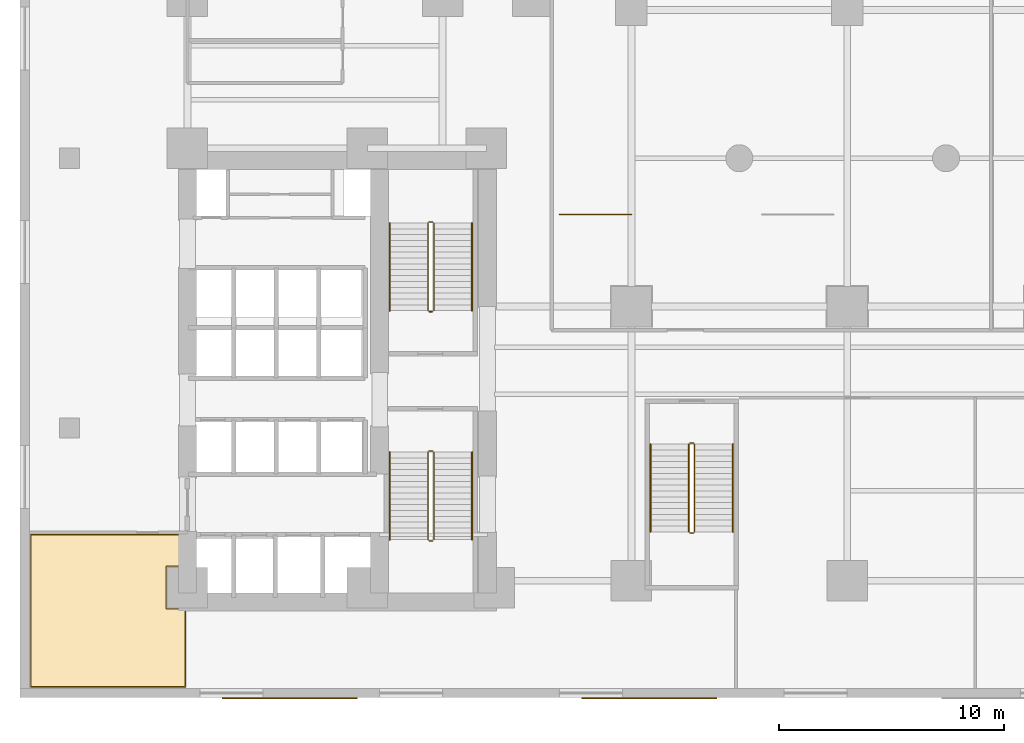
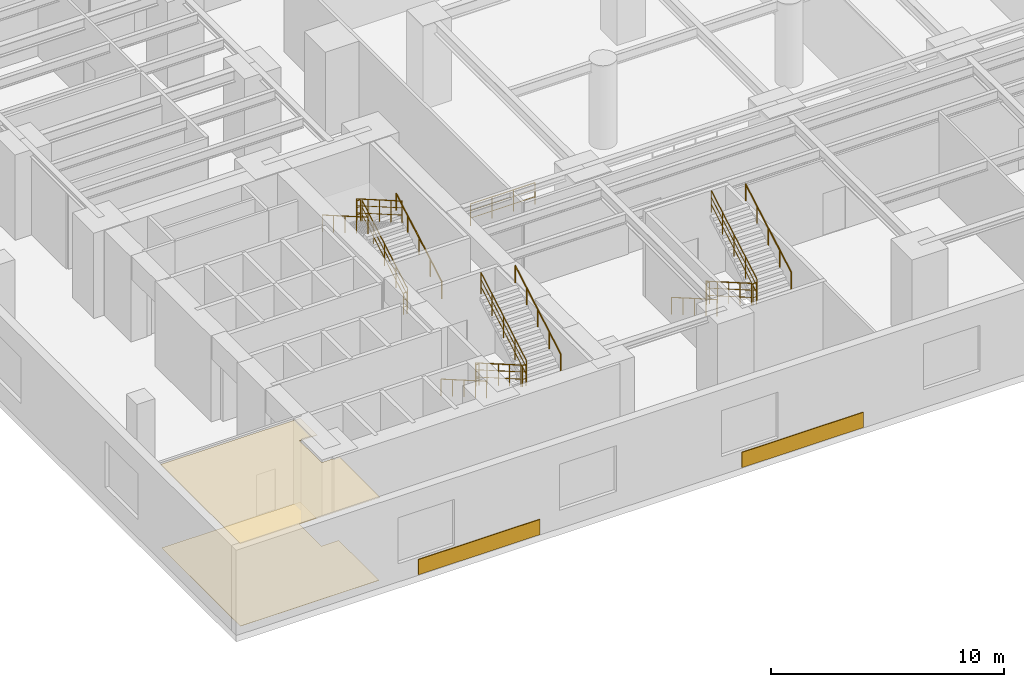
# One storey, part 15 of 16: 19 railings, 4 coverings.
"""IFC4 building model written with IfcOpenShell, lengths in metres."""

import ifcopenshell
import ifcopenshell.guid

model = None  # the IFC model being written
_history = None  # IfcOwnerHistory: only IFC2X3 demands one
_inside = {}  # id of a spatial element -> (the spatial element, [elements in it])
_under = {}  # id of a project, library or spatial element -> (it, [spatial elements below it])
_declared = {}  # id of a project -> (the project, [libraries it declares])
_typed = {}  # id of a type object -> (the type object, [elements of that type])
_made_of = {}  # id of a material, layer set ... -> (it, [elements and type objects made of it])


def new_model(schema):
    """Start an empty IFC model of exactly this schema.

    Asked for "IFC4X3", IfcOpenShell would pick the latest addendum, in which some entities
    have other attributes; the version numbers below select the first issue.
    IFC2X3 requires an IfcOwnerHistory on every rooted entity: one is made here for all.
    """
    global model, _history
    if schema == "IFC4X3":
        model = ifcopenshell.file(schema_version=(4, 3, 0, 0))
    else:
        model = ifcopenshell.file(schema=schema)
    _inside.clear()
    _under.clear()
    _declared.clear()
    _typed.clear()
    _made_of.clear()
    _history = None
    if model.schema == "IFC2X3":
        org = make("IfcOrganization", Name="unknown")
        user = make(
            "IfcPersonAndOrganization",
            ThePerson=make("IfcPerson", FamilyName="unknown"),
            TheOrganization=org,
        )
        app = make(
            "IfcApplication",
            ApplicationDeveloper=org,
            Version="unknown",
            ApplicationFullName="unknown",
            ApplicationIdentifier="unknown",
        )
        _history = make(
            "IfcOwnerHistory",
            OwningUser=user,
            OwningApplication=app,
            ChangeAction="ADDED",
            CreationDate=0,
        )
    return model


def make(cls, **values):
    """One entity of the class cls with the attributes given. An attribute that is None is left unset."""
    return model.create_entity(
        cls, **{name: value for name, value in values.items() if value is not None}
    )


def rooted(cls, **values):
    """An entity with a GlobalId (a new one), such as an element, a storey or a relation."""
    return make(cls, GlobalId=ifcopenshell.guid.new(), OwnerHistory=_history, **values)


def si_unit(unit_type, name, prefix=None):
    """IfcSIUnit, for example si_unit("LENGTHUNIT", "METRE", prefix="MILLI")."""
    return make("IfcSIUnit", UnitType=unit_type, Prefix=prefix, Name=name)


def assignment(units):
    """IfcUnitAssignment: the units of a project."""
    return None if units is None else make("IfcUnitAssignment", Units=units)


def point(xyz):
    """IfcCartesianPoint."""
    return None if xyz is None else make("IfcCartesianPoint", Coordinates=xyz)


def direction(xyz):
    """IfcDirection."""
    return None if xyz is None else make("IfcDirection", DirectionRatios=xyz)


def frame(location, z_axis=None, x_axis=None):
    """IfcAxis2Placement3D, a coordinate frame: its origin and axes. An axis left out is left unset."""
    return make(
        "IfcAxis2Placement3D",
        Location=point(location),
        Axis=direction(z_axis),
        RefDirection=direction(x_axis),
    )


def frame_2d(location, x_axis=None):
    """IfcAxis2Placement2D, a coordinate frame in the plane: its origin and x axis."""
    return make(
        "IfcAxis2Placement2D", Location=point(location), RefDirection=direction(x_axis)
    )


def origin():
    """The frame at (0, 0, 0) with its axes left unset."""
    return frame((0.0, 0.0, 0.0))


def origin_2d():
    """The frame at (0, 0) in the plane with its x axis left unset."""
    return frame_2d((0.0, 0.0))


def place(relative_to, where):
    """IfcLocalPlacement: puts the frame where relative to a parent placement (None: the world)."""
    return make(
        "IfcLocalPlacement", PlacementRelTo=relative_to, RelativePlacement=where
    )


def context(
    kind, dimensions, precision=None, world=None, true_north=None, identifier=None
):
    """IfcGeometricRepresentationContext, for example the 3D "Model" context."""
    return make(
        "IfcGeometricRepresentationContext",
        ContextIdentifier=identifier,
        ContextType=kind,
        CoordinateSpaceDimension=dimensions,
        Precision=precision,
        WorldCoordinateSystem=world,
        TrueNorth=true_north,
    )


def subcontext(parent, identifier, kind, view, scale=None):
    """IfcGeometricRepresentationSubContext, for example "Body" below "Model"."""
    return make(
        "IfcGeometricRepresentationSubContext",
        ContextIdentifier=identifier,
        ContextType=kind,
        ParentContext=parent,
        TargetScale=scale,
        TargetView=view,
    )


def project(units=None, contexts=None):
    """IfcProject with its units and contexts."""
    return rooted(
        "IfcProject",
        Name="project",
        RepresentationContexts=contexts,
        UnitsInContext=assignment(units),
    )


def spatial(cls, under=None, at=None, **own):
    """A site, building, storey or space (cls), placed at a placement, below another one or the project."""
    s = rooted(cls, ObjectPlacement=at, **own)
    if under is not None:
        _under.setdefault(under.id(), (under, []))[1].append(s)
    return s


def polyline(points):
    """IfcPolyline through the points."""
    return make("IfcPolyline", Points=[point(p) for p in points])


def profile(cls, at=None, kind="AREA", **sizes):
    """A parametric profile (cls). Its sizes go by their IFC names, for example OverallWidth=200.0."""
    return make(cls, ProfileType=kind, Position=at, **sizes)


def rectangle(**sizes):
    """IfcRectangleProfileDef."""
    return profile("IfcRectangleProfileDef", **sizes)


def circle(**sizes):
    """IfcCircleProfileDef."""
    return profile("IfcCircleProfileDef", **sizes)


def outline(outer, holes=None, kind="AREA"):
    """IfcArbitraryClosedProfileDef: a profile drawn as a closed curve; with holes, ...WithVoids."""
    if holes is None:
        return make("IfcArbitraryClosedProfileDef", ProfileType=kind, OuterCurve=outer)
    return make(
        "IfcArbitraryProfileDefWithVoids",
        ProfileType=kind,
        OuterCurve=outer,
        InnerCurves=holes,
    )


def extrude(swept, where, along, depth):
    """IfcExtrudedAreaSolid: the profile swept, set in the frame where, extruded along a direction by depth."""
    return make(
        "IfcExtrudedAreaSolid",
        SweptArea=swept,
        Position=where,
        ExtrudedDirection=direction(along),
        Depth=depth,
    )


def shape(context_of_items, identifier, shape_type, items):
    """IfcShapeRepresentation: the items that make up one representation, for example the "Body"."""
    return make(
        "IfcShapeRepresentation",
        ContextOfItems=context_of_items,
        RepresentationIdentifier=identifier,
        RepresentationType=shape_type,
        Items=items,
    )


def material(Name=None, Category=None):
    """IfcMaterial."""
    return make("IfcMaterial", Name=Name, Category=Category)


def layer(
    of_material, thickness, ventilated=None, Name=None, Category=None, Priority=None
):
    """IfcMaterialLayer: one layer of a wall or slab, of a material (None: an air gap)."""
    return make(
        "IfcMaterialLayer",
        Material=of_material,
        LayerThickness=thickness,
        IsVentilated=ventilated,
        Name=Name,
        Category=Category,
        Priority=Priority,
    )


def layer_set(layers, Name=None):
    """IfcMaterialLayerSet."""
    return make("IfcMaterialLayerSet", MaterialLayers=layers, LayerSetName=Name)


def made_of(thing, what):
    """Note that an element or type object is made of a material, layer set ...; save() writes the relation."""
    if what is not None:
        _made_of.setdefault(what.id(), (what, []))[1].append(thing)
    return thing


def type_object(cls, material=None, **own):
    """A type object (cls), such as IfcWallType, which elements share."""
    return made_of(rooted(cls, **own), material)


def element(
    cls,
    number,
    at=None,
    inside=None,
    cuts=None,
    type_object=None,
    material=None,
    context=None,
    identifier="Body",
    shape_type=None,
    held_by="IfcProductDefinitionShape",
    body=None,
    shapes=None,
    **own,
):
    """One element of the class cls, such as IfcWall. Its Tag is "e" and its number.

    at: its placement. inside: the storey or other place that contains it. cuts: it is an
    opening in that element (IfcRelVoidsElement). A single representation is given by context,
    identifier, shape_type and body (its items); several are given by shapes. held_by: the class
    of the entity that holds the representations. save() writes the other relations.
    """
    e = rooted(cls, Tag="e%d" % number, ObjectPlacement=at, **own)
    if body is not None:
        shapes = [shape(context, identifier, shape_type, body)]
    if shapes is not None:
        e.Representation = make(held_by, Representations=shapes)
    if inside is not None:
        _inside.setdefault(inside.id(), (inside, []))[1].append(e)
    if cuts is not None:
        rooted(
            "IfcRelVoidsElement", RelatingBuildingElement=cuts, RelatedOpeningElement=e
        )
    if type_object is not None:
        _typed.setdefault(type_object.id(), (type_object, []))[1].append(e)
    return made_of(e, material)


def aggregate(whole, parts):
    """IfcRelAggregates: a whole, such as a stair, and the parts it consists of."""
    return rooted("IfcRelAggregates", RelatingObject=whole, RelatedObjects=parts)


def save(model, path):
    """Write the relations noted so far, then the file.

    IfcRelAggregates (storeys below a building ...), IfcRelContainedInSpatialStructure (elements
    in a storey), IfcRelDefinesByType, IfcRelAssociatesMaterial and IfcRelDeclares: one each for
    every whole, place, type object, material and project.
    """
    for whole, parts in _under.values():
        aggregate(whole, parts)
    for where, things in _inside.values():
        rooted(
            "IfcRelContainedInSpatialStructure",
            RelatedElements=things,
            RelatingStructure=where,
        )
    for kind, things in _typed.values():
        rooted("IfcRelDefinesByType", RelatedObjects=things, RelatingType=kind)
    for what, things in _made_of.values():
        rooted("IfcRelAssociatesMaterial", RelatedObjects=things, RelatingMaterial=what)
    for by, libraries in _declared.values():
        rooted("IfcRelDeclares", RelatingContext=by, RelatedDefinitions=libraries)
    model.write(path)


model = new_model("IFC4")

# Units and contexts
model_context = context("Model", 3, precision=1e-05, world=origin(), true_north=direction((0.0, 1.0)))
body_context = subcontext(model_context, "Body", "Model", "MODEL_VIEW")
ifc_project = project(units=[si_unit("LENGTHUNIT", "METRE"), si_unit("AREAUNIT", "SQUARE_METRE"), si_unit("VOLUMEUNIT", "CUBIC_METRE"), si_unit("PLANEANGLEUNIT", "RADIAN"), si_unit("MASSUNIT", "GRAM", prefix="KILO")], contexts=[model_context])

# Site, building, storey
site_placement = place(None, origin())
site = spatial("IfcSite", under=ifc_project, at=site_placement, CompositionType="ELEMENT")
building_placement = place(site_placement, origin())
building = spatial("IfcBuilding", under=site, at=building_placement, Name="Kolvaren Waterfront Exchange", CompositionType="ELEMENT")
storey_placement = place(building_placement, frame((0.0, 0.0, 20.0)))
storey = spatial("IfcBuildingStorey", under=building, at=storey_placement, Name="L05", CompositionType="ELEMENT", Elevation=20.0)

# Railing
ifc_material_1 = material(Name="Anodised bronze aluminium and laminated glass", Category="aluminium")
railing_type_1 = type_object("IfcRailingType", Name="ARC-BALUSTRADE-1150", PredefinedType="BALUSTRADE", material=ifc_material_1)
railing_1_placement = place(storey_placement, frame((24.0, 21.5, 0.0)))
element("IfcRailing", 1, at=railing_1_placement, inside=storey, type_object=railing_type_1, Name="L05 gallery balustrade 1", PredefinedType="BALUSTRADE", context=body_context, shape_type="SweptSolid", body=[
    extrude(circle(Radius=0.02392578125, at=origin_2d()), frame((0.0, 0.0, 1.1259765625), z_axis=(1.0, 0.0, 0.0), x_axis=(0.0, 1.0, 0.0)), (0.0, 0.0, 1.0), 3.199951171875),
    extrude(circle(Radius=0.01611328125, at=origin_2d()), frame((0.0, 0.0, 0.390869140625), z_axis=(1.0, 0.0, 0.0), x_axis=(0.0, 1.0, 0.0)), (0.0, 0.0, 1.0), 3.199951171875),
    extrude(circle(Radius=0.01611328125, at=origin_2d()), frame((0.0, 0.0, 0.7705078125), z_axis=(1.0, 0.0, 0.0), x_axis=(0.0, 1.0, 0.0)), (0.0, 0.0, 1.0), 3.199951171875),
    extrude(circle(Radius=0.02099609375, at=origin_2d()), origin(), (0.0, 0.0, 1.0), 1.101806640625),
    extrude(circle(Radius=0.02099609375, at=origin_2d()), frame((1.066650390625, 0.0, 0.0)), (0.0, 0.0, 1.0), 1.101806640625),
    extrude(circle(Radius=0.02099609375, at=origin_2d()), frame((2.13330078125, 0.0, 0.0)), (0.0, 0.0, 1.0), 1.101806640625),
    extrude(circle(Radius=0.02099609375, at=origin_2d()), frame((3.199951171875, 0.0, 0.0)), (0.0, 0.0, 1.0), 1.101806640625),
])

# Coverings
ifc_material_2 = material(Name="Mineral fibre acoustic ceiling tile")
ifc_layer_1 = layer(ifc_material_2, 0.02490234375, Name="Mineral fibre acoustic ceiling tile")
ifc_layer_set_1 = layer_set([ifc_layer_1], Name="Mineral fibre acoustic ceiling tile")
covering_type_1 = type_object("IfcCoveringType", Name="ARC-CEIL-ACOUSTIC-25", PredefinedType="CEILING", material=ifc_layer_set_1)
covering_1_placement = place(storey_placement, frame((0.0, 0.0, 4.344970703125)))
element("IfcCovering", 2, at=covering_1_placement, inside=storey, type_object=covering_type_1, Name="L05 acoustic suspended ceiling 1", PredefinedType="CEILING", context=body_context, shape_type="SweptSolid", body=[
    extrude(outline(polyline([(7.385009765625, 3.9599609375), (6.510009765625, 3.9599609375), (6.510009765625, 5.840087890625), (7.385009765625, 5.840087890625), (7.385009765625, 7.284912109375), (0.465087890625, 7.284912109375), (0.465087890625, 0.465087890625), (7.385009765625, 0.465087890625), (7.385009765625, 3.9599609375)])), origin(), (0.0, 0.0, 1.0), 0.025146484375),
])
ifc_material_3 = material(Name="Honed grey-taupe granite stone", Category="masonry")
ifc_layer_2 = layer(ifc_material_3, 0.044921875, Name="Honed grey-taupe granite stone")
ifc_layer_set_2 = layer_set([ifc_layer_2], Name="Honed grey-taupe granite stone")
covering_type_2 = type_object("IfcCoveringType", Name="ARC-CLAD-GRANITE-45", PredefinedType="CLADDING", material=ifc_layer_set_2)
for number, where, z_axis, x_axis, name in (
    (3, (12.0, -0.02001953125, 0.0498046875), (0.0, 0.0, 1.0), (1.0, 0.0, 0.0), "L05 honed grey-taupe granite spandrel cladding S1"),
    (4, (28.0, -0.02001953125, 0.0498046875), (0.0, 0.0, 1.0), (1.0, 0.0, 0.0), "L05 honed grey-taupe granite spandrel cladding S2"),
):
    element("IfcCovering", number, at=place(storey_placement, frame(where, z_axis=z_axis, x_axis=x_axis)), inside=storey, type_object=covering_type_2, Name=name, PredefinedType="CLADDING", context=body_context, shape_type="SweptSolid", body=[
        extrude(rectangle(XDim=6.0, YDim=0.044921875, at=origin_2d()), origin(), (0.0, 0.0, 1.0), 0.800048828125),
    ])
ifc_material_4 = material(Name="Slip-resistant porcelain tile")
ifc_layer_3 = layer(ifc_material_4, 0.014892578125, Name="Slip-resistant porcelain tile")
ifc_layer_set_3 = layer_set([ifc_layer_3], Name="Slip-resistant porcelain tile")
covering_type_3 = type_object("IfcCoveringType", Name="ARC-FLR-PORC-15", PredefinedType="FLOORING", material=ifc_layer_set_3)
covering_2_placement = place(storey_placement, origin())
element("IfcCovering", 5, at=covering_2_placement, inside=storey, type_object=covering_type_3, Name="L05 floor finish 1", PredefinedType="FLOORING", context=body_context, shape_type="SweptSolid", body=[
    extrude(outline(polyline([(0.5, 7.25), (0.5, 0.5), (7.35009765625, 0.5), (7.35009765625, 3.93994140625), (6.489990234375, 3.93994140625), (6.489990234375, 5.860107421875), (7.35009765625, 5.860107421875), (7.35009765625, 7.25), (0.5, 7.25)])), origin(), (0.0, 0.0, 1.0), 0.014892578125),
])

# Railings
ifc_material_5 = material(Name="Stainless steel 316", Category="steel")
railing_type_2 = type_object("IfcRailingType", Name="ARC-GUARD-STAIR", PredefinedType="GUARDRAIL", material=ifc_material_5)
railing_2_placement = place(storey_placement, frame((18.14990234375, 10.929931640625, 0.14990234375)))
element("IfcRailing", 6, at=railing_2_placement, inside=storey, type_object=railing_type_2, Name="L05 ST1 stair guard 1", PredefinedType="GUARDRAIL", context=body_context, shape_type="SweptSolid", body=[
    extrude(circle(Radius=0.02392578125, at=origin_2d()), frame((0.0, 0.0, 1.1259765625), z_axis=(0.0, -0.866180169578, 0.49973184192), x_axis=(1.0, 0.0, 0.0)), (0.0, 0.0, 1.0), 4.50244140625),
    extrude(circle(Radius=0.01611328125, at=origin_2d()), frame((0.0, 0.0, 0.390869140625), z_axis=(0.0, -0.866180169578, 0.49973184192), x_axis=(1.0, 0.0, 0.0)), (0.0, 0.0, 1.0), 4.50244140625),
    extrude(circle(Radius=0.01611328125, at=origin_2d()), frame((0.0, 0.0, 0.7705078125), z_axis=(0.0, -0.866180169578, 0.49973184192), x_axis=(1.0, 0.0, 0.0)), (0.0, 0.0, 1.0), 4.50244140625),
    extrude(circle(Radius=0.02099609375, at=origin_2d()), origin(), (0.0, 0.0, 1.0), 1.101806640625),
    extrude(circle(Radius=0.02099609375, at=origin_2d()), frame((0.0, -0.97509765625, 0.5625)), (0.0, 0.0, 1.0), 1.101806640625),
    extrude(circle(Radius=0.02099609375, at=origin_2d()), frame((0.0, -1.949951171875, 1.125)), (0.0, 0.0, 1.0), 1.101806640625),
    extrude(circle(Radius=0.02099609375, at=origin_2d()), frame((0.0, -2.9248046875, 1.6875)), (0.0, 0.0, 1.0), 1.101806640625),
    extrude(circle(Radius=0.02099609375, at=origin_2d()), frame((0.0, -3.89990234375, 2.25)), (0.0, 0.0, 1.0), 1.101806640625),
])
railing_3_placement = place(storey_placement, frame((18.199951171875, 6.97998046875, 2.39990234375)))
element("IfcRailing", 7, at=railing_3_placement, inside=storey, type_object=railing_type_2, Name="L05 ST1 stair guard 2", PredefinedType="GUARDRAIL", context=body_context, shape_type="SweptSolid", body=[
    extrude(circle(Radius=0.02392578125, at=origin_2d()), frame((0.0, 0.0, 1.1259765625), z_axis=(1.0, 0.0, 0.0), x_axis=(0.0, 1.0, 0.0)), (0.0, 0.0, 1.0), 0.16015625),
    extrude(circle(Radius=0.01611328125, at=origin_2d()), frame((0.0, 0.0, 0.390869140625), z_axis=(1.0, 0.0, 0.0), x_axis=(0.0, 1.0, 0.0)), (0.0, 0.0, 1.0), 0.16015625),
    extrude(circle(Radius=0.01611328125, at=origin_2d()), frame((0.0, 0.0, 0.7705078125), z_axis=(1.0, 0.0, 0.0), x_axis=(0.0, 1.0, 0.0)), (0.0, 0.0, 1.0), 0.16015625),
    extrude(circle(Radius=0.02099609375, at=origin_2d()), origin(), (0.0, 0.0, 1.0), 1.101806640625),
    extrude(circle(Radius=0.02099609375, at=origin_2d()), frame((0.16015625, 0.0, 0.0)), (0.0, 0.0, 1.0), 1.101806640625),
])
railing_4_placement = place(storey_placement, frame((18.409912109375, 7.030029296875, 2.550048828125)))
element("IfcRailing", 8, at=railing_4_placement, inside=storey, type_object=railing_type_2, Name="L05 ST1 stair guard 3", PredefinedType="GUARDRAIL", context=body_context, shape_type="SweptSolid", body=[
    extrude(circle(Radius=0.02392578125, at=origin_2d()), frame((0.0, 0.0, 1.1259765625), z_axis=(0.0, 0.866180169578, 0.49973184192), x_axis=(-1.0, 0.0, 0.0)), (0.0, 0.0, 1.0), 4.50244140625),
    extrude(circle(Radius=0.01611328125, at=origin_2d()), frame((0.0, 0.0, 0.390869140625), z_axis=(0.0, 0.866180169578, 0.49973184192), x_axis=(-1.0, 0.0, 0.0)), (0.0, 0.0, 1.0), 4.50244140625),
    extrude(circle(Radius=0.01611328125, at=origin_2d()), frame((0.0, 0.0, 0.7705078125), z_axis=(0.0, 0.866180169578, 0.49973184192), x_axis=(-1.0, 0.0, 0.0)), (0.0, 0.0, 1.0), 4.50244140625),
    extrude(circle(Radius=0.02099609375, at=origin_2d()), origin(), (0.0, 0.0, 1.0), 1.101806640625),
    extrude(circle(Radius=0.02099609375, at=origin_2d()), frame((0.0, 0.97509765625, 0.5625)), (0.0, 0.0, 1.0), 1.101806640625),
    extrude(circle(Radius=0.02099609375, at=origin_2d()), frame((0.0, 1.949951171875, 1.125)), (0.0, 0.0, 1.0), 1.101806640625),
    extrude(circle(Radius=0.02099609375, at=origin_2d()), frame((0.0, 2.9248046875, 1.6875)), (0.0, 0.0, 1.0), 1.101806640625),
    extrude(circle(Radius=0.02099609375, at=origin_2d()), frame((0.0, 3.89990234375, 2.25)), (0.0, 0.0, 1.0), 1.101806640625),
])
railing_5_placement = place(storey_placement, frame((18.199951171875, 10.97998046875, 0.0)))
element("IfcRailing", 9, at=railing_5_placement, inside=storey, type_object=railing_type_2, Name="L05 ST1 stair guard 4", PredefinedType="GUARDRAIL", context=body_context, shape_type="SweptSolid", body=[
    extrude(circle(Radius=0.02392578125, at=origin_2d()), frame((0.0, 0.0, 1.1259765625), z_axis=(1.0, 0.0, 0.0), x_axis=(0.0, 1.0, 0.0)), (0.0, 0.0, 1.0), 0.16015625),
    extrude(circle(Radius=0.01611328125, at=origin_2d()), frame((0.0, 0.0, 0.390869140625), z_axis=(1.0, 0.0, 0.0), x_axis=(0.0, 1.0, 0.0)), (0.0, 0.0, 1.0), 0.16015625),
    extrude(circle(Radius=0.01611328125, at=origin_2d()), frame((0.0, 0.0, 0.7705078125), z_axis=(1.0, 0.0, 0.0), x_axis=(0.0, 1.0, 0.0)), (0.0, 0.0, 1.0), 0.16015625),
    extrude(circle(Radius=0.02099609375, at=origin_2d()), origin(), (0.0, 0.0, 1.0), 1.101806640625),
    extrude(circle(Radius=0.02099609375, at=origin_2d()), frame((0.16015625, 0.0, 0.0)), (0.0, 0.0, 1.0), 1.101806640625),
])
railing_6_placement = place(storey_placement, frame((18.409912109375, 17.219970703125, 0.14990234375)))
element("IfcRailing", 10, at=railing_6_placement, inside=storey, type_object=railing_type_2, Name="L05 ST2 stair guard 1", PredefinedType="GUARDRAIL", context=body_context, shape_type="SweptSolid", body=[
    extrude(circle(Radius=0.02392578125, at=origin_2d()), frame((0.0, 0.0, 1.1259765625), z_axis=(0.0, 0.866193710181, 0.499708371395), x_axis=(-1.0, 0.0, 0.0)), (0.0, 0.0, 1.0), 4.502685546875),
    extrude(circle(Radius=0.01611328125, at=origin_2d()), frame((0.0, 0.0, 0.390869140625), z_axis=(0.0, 0.866193710181, 0.499708371395), x_axis=(-1.0, 0.0, 0.0)), (0.0, 0.0, 1.0), 4.502685546875),
    extrude(circle(Radius=0.01611328125, at=origin_2d()), frame((0.0, 0.0, 0.7705078125), z_axis=(0.0, 0.866193710181, 0.499708371395), x_axis=(-1.0, 0.0, 0.0)), (0.0, 0.0, 1.0), 4.502685546875),
    extrude(circle(Radius=0.02099609375, at=origin_2d()), origin(), (0.0, 0.0, 1.0), 1.101806640625),
    extrude(circle(Radius=0.02099609375, at=origin_2d()), frame((0.0, 0.97509765625, 0.5625)), (0.0, 0.0, 1.0), 1.101806640625),
    extrude(circle(Radius=0.02099609375, at=origin_2d()), frame((0.0, 1.9501953125, 1.125)), (0.0, 0.0, 1.0), 1.101806640625),
    extrude(circle(Radius=0.02099609375, at=origin_2d()), frame((0.0, 2.925048828125, 1.6875)), (0.0, 0.0, 1.0), 1.101806640625),
    extrude(circle(Radius=0.02099609375, at=origin_2d()), frame((0.0, 3.900146484375, 2.25)), (0.0, 0.0, 1.0), 1.101806640625),
])
railing_7_placement = place(storey_placement, frame((18.360107421875, 21.169921875, 2.39990234375)))
element("IfcRailing", 11, at=railing_7_placement, inside=storey, type_object=railing_type_2, Name="L05 ST2 stair guard 2", PredefinedType="GUARDRAIL", context=body_context, shape_type="SweptSolid", body=[
    extrude(circle(Radius=0.02392578125, at=origin_2d()), frame((0.0, 0.0, 1.1259765625), z_axis=(-1.0, 0.0, 0.0), x_axis=(0.0, -1.0, 0.0)), (0.0, 0.0, 1.0), 0.16015625),
    extrude(circle(Radius=0.01611328125, at=origin_2d()), frame((0.0, 0.0, 0.390869140625), z_axis=(-1.0, 0.0, 0.0), x_axis=(0.0, -1.0, 0.0)), (0.0, 0.0, 1.0), 0.16015625),
    extrude(circle(Radius=0.01611328125, at=origin_2d()), frame((0.0, 0.0, 0.7705078125), z_axis=(-1.0, 0.0, 0.0), x_axis=(0.0, -1.0, 0.0)), (0.0, 0.0, 1.0), 0.16015625),
    extrude(circle(Radius=0.02099609375, at=origin_2d()), origin(), (0.0, 0.0, 1.0), 1.101806640625),
    extrude(circle(Radius=0.02099609375, at=origin_2d()), frame((-0.16015625, 0.0, 0.0)), (0.0, 0.0, 1.0), 1.101806640625),
])
railing_8_placement = place(storey_placement, frame((18.14990234375, 21.1201171875, 2.550048828125)))
element("IfcRailing", 12, at=railing_8_placement, inside=storey, type_object=railing_type_2, Name="L05 ST2 stair guard 3", PredefinedType="GUARDRAIL", context=body_context, shape_type="SweptSolid", body=[
    extrude(circle(Radius=0.02392578125, at=origin_2d()), frame((0.0, 0.0, 1.1259765625), z_axis=(0.0, -0.866193710181, 0.499708371395), x_axis=(1.0, 0.0, 0.0)), (0.0, 0.0, 1.0), 4.502685546875),
    extrude(circle(Radius=0.01611328125, at=origin_2d()), frame((0.0, 0.0, 0.390869140625), z_axis=(0.0, -0.866193710181, 0.499708371395), x_axis=(1.0, 0.0, 0.0)), (0.0, 0.0, 1.0), 4.502685546875),
    extrude(circle(Radius=0.01611328125, at=origin_2d()), frame((0.0, 0.0, 0.7705078125), z_axis=(0.0, -0.866193710181, 0.499708371395), x_axis=(1.0, 0.0, 0.0)), (0.0, 0.0, 1.0), 4.502685546875),
    extrude(circle(Radius=0.02099609375, at=origin_2d()), origin(), (0.0, 0.0, 1.0), 1.101806640625),
    extrude(circle(Radius=0.02099609375, at=origin_2d()), frame((0.0, -0.97509765625, 0.5625)), (0.0, 0.0, 1.0), 1.101806640625),
    extrude(circle(Radius=0.02099609375, at=origin_2d()), frame((0.0, -1.9501953125, 1.125)), (0.0, 0.0, 1.0), 1.101806640625),
    extrude(circle(Radius=0.02099609375, at=origin_2d()), frame((0.0, -2.925048828125, 1.6875)), (0.0, 0.0, 1.0), 1.101806640625),
    extrude(circle(Radius=0.02099609375, at=origin_2d()), frame((0.0, -3.900146484375, 2.25)), (0.0, 0.0, 1.0), 1.101806640625),
])
railing_9_placement = place(storey_placement, frame((18.360107421875, 17.169921875, 0.0)))
element("IfcRailing", 13, at=railing_9_placement, inside=storey, type_object=railing_type_2, Name="L05 ST2 stair guard 4", PredefinedType="GUARDRAIL", context=body_context, shape_type="SweptSolid", body=[
    extrude(circle(Radius=0.02392578125, at=origin_2d()), frame((0.0, 0.0, 1.1259765625), z_axis=(-1.0, 0.0, 0.0), x_axis=(0.0, -1.0, 0.0)), (0.0, 0.0, 1.0), 0.16015625),
    extrude(circle(Radius=0.01611328125, at=origin_2d()), frame((0.0, 0.0, 0.390869140625), z_axis=(-1.0, 0.0, 0.0), x_axis=(0.0, -1.0, 0.0)), (0.0, 0.0, 1.0), 0.16015625),
    extrude(circle(Radius=0.01611328125, at=origin_2d()), frame((0.0, 0.0, 0.7705078125), z_axis=(-1.0, 0.0, 0.0), x_axis=(0.0, -1.0, 0.0)), (0.0, 0.0, 1.0), 0.16015625),
    extrude(circle(Radius=0.02099609375, at=origin_2d()), origin(), (0.0, 0.0, 1.0), 1.101806640625),
    extrude(circle(Radius=0.02099609375, at=origin_2d()), frame((-0.16015625, 0.0, 0.0)), (0.0, 0.0, 1.0), 1.101806640625),
])
railing_10_placement = place(storey_placement, frame((29.75, 11.280029296875, 0.14990234375)))
element("IfcRailing", 14, at=railing_10_placement, inside=storey, type_object=railing_type_2, Name="L05 ST3 stair guard 1", PredefinedType="GUARDRAIL", context=body_context, shape_type="SweptSolid", body=[
    extrude(circle(Radius=0.02392578125, at=origin_2d()), frame((0.0, 0.0, 1.1259765625), z_axis=(0.0, -0.866193710181, 0.499708371395), x_axis=(1.0, 0.0, 0.0)), (0.0, 0.0, 1.0), 4.502685546875),
    extrude(circle(Radius=0.01611328125, at=origin_2d()), frame((0.0, 0.0, 0.390869140625), z_axis=(0.0, -0.866193710181, 0.499708371395), x_axis=(1.0, 0.0, 0.0)), (0.0, 0.0, 1.0), 4.502685546875),
    extrude(circle(Radius=0.01611328125, at=origin_2d()), frame((0.0, 0.0, 0.7705078125), z_axis=(0.0, -0.866193710181, 0.499708371395), x_axis=(1.0, 0.0, 0.0)), (0.0, 0.0, 1.0), 4.502685546875),
    extrude(circle(Radius=0.02099609375, at=origin_2d()), origin(), (0.0, 0.0, 1.0), 1.101806640625),
    extrude(circle(Radius=0.02099609375, at=origin_2d()), frame((0.0, -0.97509765625, 0.5625)), (0.0, 0.0, 1.0), 1.101806640625),
    extrude(circle(Radius=0.02099609375, at=origin_2d()), frame((0.0, -1.9501953125, 1.125)), (0.0, 0.0, 1.0), 1.101806640625),
    extrude(circle(Radius=0.02099609375, at=origin_2d()), frame((0.0, -2.925048828125, 1.6875)), (0.0, 0.0, 1.0), 1.101806640625),
    extrude(circle(Radius=0.02099609375, at=origin_2d()), frame((0.0, -3.900146484375, 2.25)), (0.0, 0.0, 1.0), 1.101806640625),
])
railing_11_placement = place(storey_placement, frame((29.800048828125, 7.330078125, 2.39990234375)))
element("IfcRailing", 15, at=railing_11_placement, inside=storey, type_object=railing_type_2, Name="L05 ST3 stair guard 2", PredefinedType="GUARDRAIL", context=body_context, shape_type="SweptSolid", body=[
    extrude(circle(Radius=0.02392578125, at=origin_2d()), frame((0.0, 0.0, 1.1259765625), z_axis=(1.0, 0.0, 0.0), x_axis=(0.0, 1.0, 0.0)), (0.0, 0.0, 1.0), 0.159912109375),
    extrude(circle(Radius=0.01611328125, at=origin_2d()), frame((0.0, 0.0, 0.390869140625), z_axis=(1.0, 0.0, 0.0), x_axis=(0.0, 1.0, 0.0)), (0.0, 0.0, 1.0), 0.159912109375),
    extrude(circle(Radius=0.01611328125, at=origin_2d()), frame((0.0, 0.0, 0.7705078125), z_axis=(1.0, 0.0, 0.0), x_axis=(0.0, 1.0, 0.0)), (0.0, 0.0, 1.0), 0.159912109375),
    extrude(circle(Radius=0.02099609375, at=origin_2d()), origin(), (0.0, 0.0, 1.0), 1.101806640625),
    extrude(circle(Radius=0.02099609375, at=origin_2d()), frame((0.159912109375, 0.0, 0.0)), (0.0, 0.0, 1.0), 1.101806640625),
])
railing_12_placement = place(storey_placement, frame((30.010009765625, 7.3798828125, 2.550048828125)))
element("IfcRailing", 16, at=railing_12_placement, inside=storey, type_object=railing_type_2, Name="L05 ST3 stair guard 3", PredefinedType="GUARDRAIL", context=body_context, shape_type="SweptSolid", body=[
    extrude(circle(Radius=0.02392578125, at=origin_2d()), frame((0.0, 0.0, 1.1259765625), z_axis=(0.0, 0.866193710181, 0.499708371395), x_axis=(-1.0, 0.0, 0.0)), (0.0, 0.0, 1.0), 4.502685546875),
    extrude(circle(Radius=0.01611328125, at=origin_2d()), frame((0.0, 0.0, 0.390869140625), z_axis=(0.0, 0.866193710181, 0.499708371395), x_axis=(-1.0, 0.0, 0.0)), (0.0, 0.0, 1.0), 4.502685546875),
    extrude(circle(Radius=0.01611328125, at=origin_2d()), frame((0.0, 0.0, 0.7705078125), z_axis=(0.0, 0.866193710181, 0.499708371395), x_axis=(-1.0, 0.0, 0.0)), (0.0, 0.0, 1.0), 4.502685546875),
    extrude(circle(Radius=0.02099609375, at=origin_2d()), origin(), (0.0, 0.0, 1.0), 1.101806640625),
    extrude(circle(Radius=0.02099609375, at=origin_2d()), frame((0.0, 0.97509765625, 0.5625)), (0.0, 0.0, 1.0), 1.101806640625),
    extrude(circle(Radius=0.02099609375, at=origin_2d()), frame((0.0, 1.9501953125, 1.125)), (0.0, 0.0, 1.0), 1.101806640625),
    extrude(circle(Radius=0.02099609375, at=origin_2d()), frame((0.0, 2.925048828125, 1.6875)), (0.0, 0.0, 1.0), 1.101806640625),
    extrude(circle(Radius=0.02099609375, at=origin_2d()), frame((0.0, 3.900146484375, 2.25)), (0.0, 0.0, 1.0), 1.101806640625),
])
railing_13_placement = place(storey_placement, frame((29.800048828125, 11.330078125, 0.0)))
element("IfcRailing", 17, at=railing_13_placement, inside=storey, type_object=railing_type_2, Name="L05 ST3 stair guard 4", PredefinedType="GUARDRAIL", context=body_context, shape_type="SweptSolid", body=[
    extrude(circle(Radius=0.02392578125, at=origin_2d()), frame((0.0, 0.0, 1.1259765625), z_axis=(1.0, 0.0, 0.0), x_axis=(0.0, 1.0, 0.0)), (0.0, 0.0, 1.0), 0.159912109375),
    extrude(circle(Radius=0.01611328125, at=origin_2d()), frame((0.0, 0.0, 0.390869140625), z_axis=(1.0, 0.0, 0.0), x_axis=(0.0, 1.0, 0.0)), (0.0, 0.0, 1.0), 0.159912109375),
    extrude(circle(Radius=0.01611328125, at=origin_2d()), frame((0.0, 0.0, 0.7705078125), z_axis=(1.0, 0.0, 0.0), x_axis=(0.0, 1.0, 0.0)), (0.0, 0.0, 1.0), 0.159912109375),
    extrude(circle(Radius=0.02099609375, at=origin_2d()), origin(), (0.0, 0.0, 1.0), 1.101806640625),
    extrude(circle(Radius=0.02099609375, at=origin_2d()), frame((0.159912109375, 0.0, 0.0)), (0.0, 0.0, 1.0), 1.101806640625),
])
railing_type_3 = type_object("IfcRailingType", Name="ARC-HANDRAIL-900", PredefinedType="HANDRAIL", material=ifc_material_5)
railing_14_placement = place(storey_placement, frame((16.449951171875, 10.929931640625, 0.14990234375)))
element("IfcRailing", 18, at=railing_14_placement, inside=storey, type_object=railing_type_3, Name="L05 ST1 stair handrail 1", PredefinedType="HANDRAIL", context=body_context, shape_type="SweptSolid", body=[
    extrude(circle(Radius=0.02392578125, at=origin_2d()), frame((0.0, 0.0, 0.8759765625), z_axis=(0.0, -0.866180169578, 0.49973184192), x_axis=(1.0, 0.0, 0.0)), (0.0, 0.0, 1.0), 4.50244140625),
    extrude(circle(Radius=0.02099609375, at=origin_2d()), origin(), (0.0, 0.0, 1.0), 0.851806640625),
    extrude(circle(Radius=0.02099609375, at=origin_2d()), frame((0.0, -0.97509765625, 0.5625)), (0.0, 0.0, 1.0), 0.851806640625),
    extrude(circle(Radius=0.02099609375, at=origin_2d()), frame((0.0, -1.949951171875, 1.125)), (0.0, 0.0, 1.0), 0.851806640625),
    extrude(circle(Radius=0.02099609375, at=origin_2d()), frame((0.0, -2.9248046875, 1.6875)), (0.0, 0.0, 1.0), 0.851806640625),
    extrude(circle(Radius=0.02099609375, at=origin_2d()), frame((0.0, -3.89990234375, 2.25)), (0.0, 0.0, 1.0), 0.851806640625),
])
railing_15_placement = place(storey_placement, frame((20.110107421875, 7.030029296875, 2.550048828125)))
element("IfcRailing", 19, at=railing_15_placement, inside=storey, type_object=railing_type_3, Name="L05 ST1 stair handrail 2", PredefinedType="HANDRAIL", context=body_context, shape_type="SweptSolid", body=[
    extrude(circle(Radius=0.02392578125, at=origin_2d()), frame((0.0, 0.0, 0.8759765625), z_axis=(0.0, 0.866180169578, 0.49973184192), x_axis=(-1.0, 0.0, 0.0)), (0.0, 0.0, 1.0), 4.50244140625),
    extrude(circle(Radius=0.02099609375, at=origin_2d()), origin(), (0.0, 0.0, 1.0), 0.851806640625),
    extrude(circle(Radius=0.02099609375, at=origin_2d()), frame((0.0, 0.97509765625, 0.5625)), (0.0, 0.0, 1.0), 0.851806640625),
    extrude(circle(Radius=0.02099609375, at=origin_2d()), frame((0.0, 1.949951171875, 1.125)), (0.0, 0.0, 1.0), 0.851806640625),
    extrude(circle(Radius=0.02099609375, at=origin_2d()), frame((0.0, 2.9248046875, 1.6875)), (0.0, 0.0, 1.0), 0.851806640625),
    extrude(circle(Radius=0.02099609375, at=origin_2d()), frame((0.0, 3.89990234375, 2.25)), (0.0, 0.0, 1.0), 0.851806640625),
])
railing_16_placement = place(storey_placement, frame((20.110107421875, 17.219970703125, 0.14990234375)))
element("IfcRailing", 20, at=railing_16_placement, inside=storey, type_object=railing_type_3, Name="L05 ST2 stair handrail 1", PredefinedType="HANDRAIL", context=body_context, shape_type="SweptSolid", body=[
    extrude(circle(Radius=0.02392578125, at=origin_2d()), frame((0.0, 0.0, 0.8759765625), z_axis=(0.0, 0.866193710181, 0.499708371395), x_axis=(-1.0, 0.0, 0.0)), (0.0, 0.0, 1.0), 4.502685546875),
    extrude(circle(Radius=0.02099609375, at=origin_2d()), origin(), (0.0, 0.0, 1.0), 0.851806640625),
    extrude(circle(Radius=0.02099609375, at=origin_2d()), frame((0.0, 0.97509765625, 0.5625)), (0.0, 0.0, 1.0), 0.851806640625),
    extrude(circle(Radius=0.02099609375, at=origin_2d()), frame((0.0, 1.9501953125, 1.125)), (0.0, 0.0, 1.0), 0.851806640625),
    extrude(circle(Radius=0.02099609375, at=origin_2d()), frame((0.0, 2.925048828125, 1.6875)), (0.0, 0.0, 1.0), 0.851806640625),
    extrude(circle(Radius=0.02099609375, at=origin_2d()), frame((0.0, 3.900146484375, 2.25)), (0.0, 0.0, 1.0), 0.851806640625),
])
for number, where, name in (
    (21, (16.449951171875, 21.1201171875, 2.550048828125), "L05 ST2 stair handrail 2"),
    (22, (28.050048828125, 11.280029296875, 0.14990234375), "L05 ST3 stair handrail 1"),
):
    element("IfcRailing", number, at=place(storey_placement, frame(where)), inside=storey, type_object=railing_type_3, Name=name, PredefinedType="HANDRAIL", context=body_context, shape_type="SweptSolid", body=[
        extrude(circle(Radius=0.02392578125, at=origin_2d()), frame((0.0, 0.0, 0.8759765625), z_axis=(0.0, -0.866193710181, 0.499708371395), x_axis=(1.0, 0.0, 0.0)), (0.0, 0.0, 1.0), 4.502685546875),
        extrude(circle(Radius=0.02099609375, at=origin_2d()), origin(), (0.0, 0.0, 1.0), 0.851806640625),
        extrude(circle(Radius=0.02099609375, at=origin_2d()), frame((0.0, -0.97509765625, 0.5625)), (0.0, 0.0, 1.0), 0.851806640625),
        extrude(circle(Radius=0.02099609375, at=origin_2d()), frame((0.0, -1.9501953125, 1.125)), (0.0, 0.0, 1.0), 0.851806640625),
        extrude(circle(Radius=0.02099609375, at=origin_2d()), frame((0.0, -2.925048828125, 1.6875)), (0.0, 0.0, 1.0), 0.851806640625),
        extrude(circle(Radius=0.02099609375, at=origin_2d()), frame((0.0, -3.900146484375, 2.25)), (0.0, 0.0, 1.0), 0.851806640625),
    ])
railing_17_placement = place(storey_placement, frame((31.7099609375, 7.3798828125, 2.550048828125)))
element("IfcRailing", 23, at=railing_17_placement, inside=storey, type_object=railing_type_3, Name="L05 ST3 stair handrail 2", PredefinedType="HANDRAIL", context=body_context, shape_type="SweptSolid", body=[
    extrude(circle(Radius=0.02392578125, at=origin_2d()), frame((0.0, 0.0, 0.8759765625), z_axis=(0.0, 0.866193710181, 0.499708371395), x_axis=(-1.0, 0.0, 0.0)), (0.0, 0.0, 1.0), 4.502685546875),
    extrude(circle(Radius=0.02099609375, at=origin_2d()), origin(), (0.0, 0.0, 1.0), 0.851806640625),
    extrude(circle(Radius=0.02099609375, at=origin_2d()), frame((0.0, 0.97509765625, 0.5625)), (0.0, 0.0, 1.0), 0.851806640625),
    extrude(circle(Radius=0.02099609375, at=origin_2d()), frame((0.0, 1.9501953125, 1.125)), (0.0, 0.0, 1.0), 0.851806640625),
    extrude(circle(Radius=0.02099609375, at=origin_2d()), frame((0.0, 2.925048828125, 1.6875)), (0.0, 0.0, 1.0), 0.851806640625),
    extrude(circle(Radius=0.02099609375, at=origin_2d()), frame((0.0, 3.900146484375, 2.25)), (0.0, 0.0, 1.0), 0.851806640625),
])

save(model, "model.ifc")
